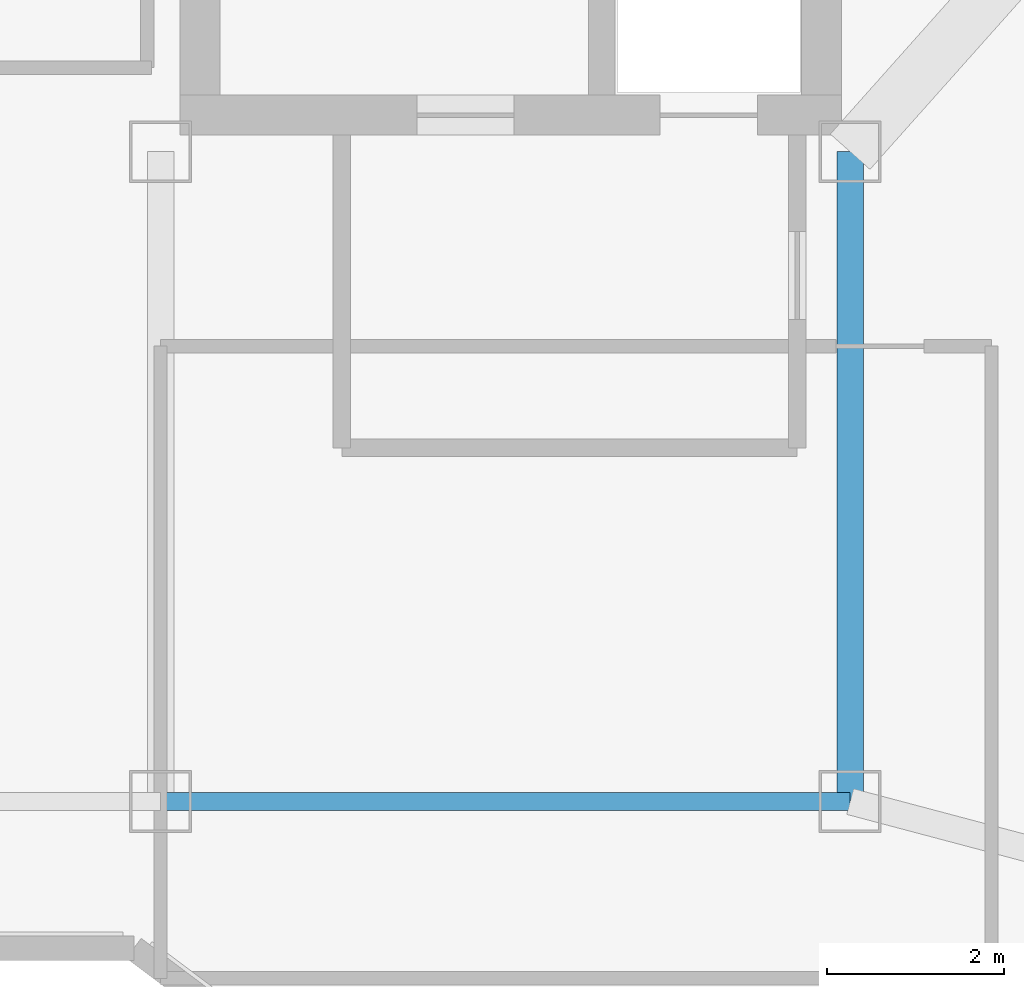
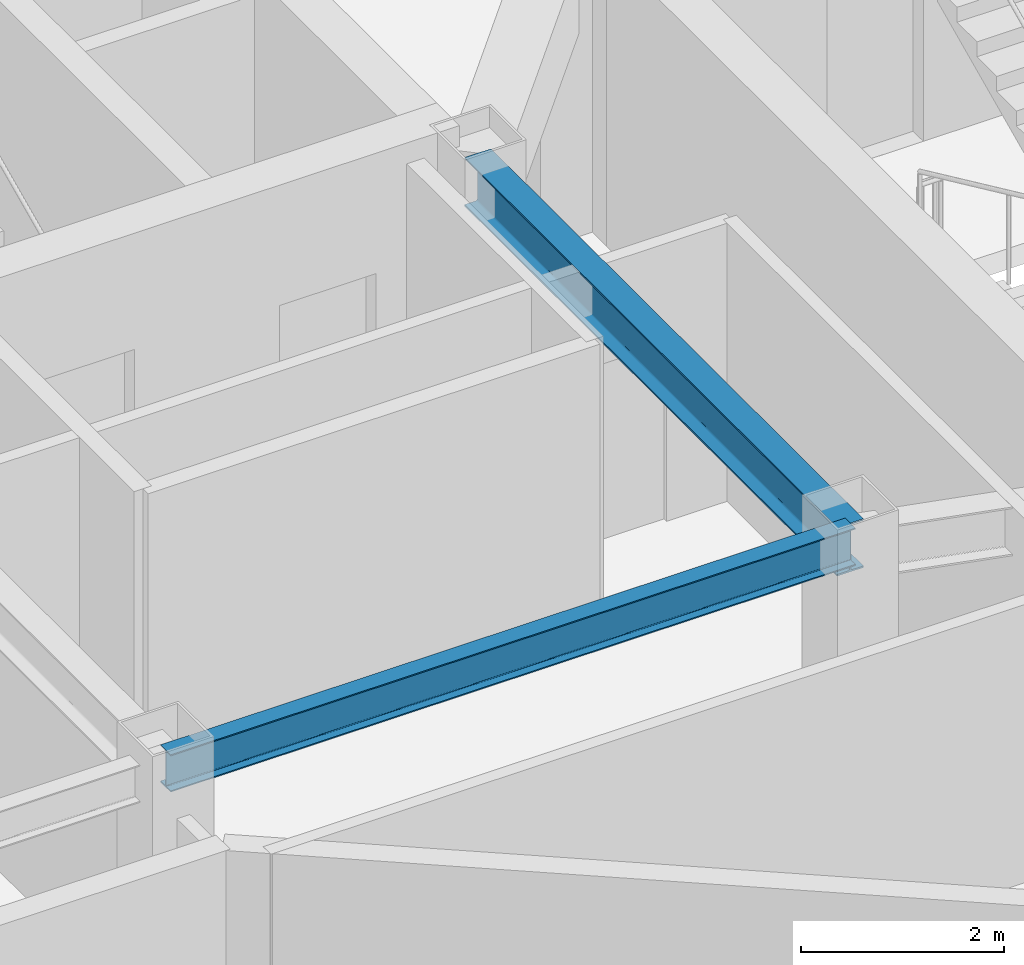
# One storey, part 5 of 25: 2 beams.
"""IFC4 building model written with IfcOpenShell, lengths in metres."""

import ifcopenshell
import ifcopenshell.guid

model = None  # the IFC model being written
_history = None  # IfcOwnerHistory: only IFC2X3 demands one
_inside = {}  # id of a spatial element -> (the spatial element, [elements in it])
_under = {}  # id of a project, library or spatial element -> (it, [spatial elements below it])
_declared = {}  # id of a project -> (the project, [libraries it declares])
_typed = {}  # id of a type object -> (the type object, [elements of that type])
_made_of = {}  # id of a material, layer set ... -> (it, [elements and type objects made of it])


def new_model(schema):
    """Start an empty IFC model of exactly this schema.

    Asked for "IFC4X3", IfcOpenShell would pick the latest addendum, in which some entities
    have other attributes; the version numbers below select the first issue.
    IFC2X3 requires an IfcOwnerHistory on every rooted entity: one is made here for all.
    """
    global model, _history
    if schema == "IFC4X3":
        model = ifcopenshell.file(schema_version=(4, 3, 0, 0))
    else:
        model = ifcopenshell.file(schema=schema)
    _inside.clear()
    _under.clear()
    _declared.clear()
    _typed.clear()
    _made_of.clear()
    _history = None
    if model.schema == "IFC2X3":
        org = make("IfcOrganization", Name="unknown")
        user = make(
            "IfcPersonAndOrganization",
            ThePerson=make("IfcPerson", FamilyName="unknown"),
            TheOrganization=org,
        )
        app = make(
            "IfcApplication",
            ApplicationDeveloper=org,
            Version="unknown",
            ApplicationFullName="unknown",
            ApplicationIdentifier="unknown",
        )
        _history = make(
            "IfcOwnerHistory",
            OwningUser=user,
            OwningApplication=app,
            ChangeAction="ADDED",
            CreationDate=0,
        )
    return model


def make(cls, **values):
    """One entity of the class cls with the attributes given. An attribute that is None is left unset."""
    return model.create_entity(
        cls, **{name: value for name, value in values.items() if value is not None}
    )


def rooted(cls, **values):
    """An entity with a GlobalId (a new one), such as an element, a storey or a relation."""
    return make(cls, GlobalId=ifcopenshell.guid.new(), OwnerHistory=_history, **values)


def si_unit(unit_type, name, prefix=None):
    """IfcSIUnit, for example si_unit("LENGTHUNIT", "METRE", prefix="MILLI")."""
    return make("IfcSIUnit", UnitType=unit_type, Prefix=prefix, Name=name)


def assignment(units):
    """IfcUnitAssignment: the units of a project."""
    return None if units is None else make("IfcUnitAssignment", Units=units)


def point(xyz):
    """IfcCartesianPoint."""
    return None if xyz is None else make("IfcCartesianPoint", Coordinates=xyz)


def direction(xyz):
    """IfcDirection."""
    return None if xyz is None else make("IfcDirection", DirectionRatios=xyz)


def frame(location, z_axis=None, x_axis=None):
    """IfcAxis2Placement3D, a coordinate frame: its origin and axes. An axis left out is left unset."""
    return make(
        "IfcAxis2Placement3D",
        Location=point(location),
        Axis=direction(z_axis),
        RefDirection=direction(x_axis),
    )


def frame_2d(location, x_axis=None):
    """IfcAxis2Placement2D, a coordinate frame in the plane: its origin and x axis."""
    return make(
        "IfcAxis2Placement2D", Location=point(location), RefDirection=direction(x_axis)
    )


def origin():
    """The frame at (0, 0, 0) with its axes left unset."""
    return frame((0.0, 0.0, 0.0))


def origin_2d():
    """The frame at (0, 0) in the plane with its x axis left unset."""
    return frame_2d((0.0, 0.0))


def place(relative_to, where):
    """IfcLocalPlacement: puts the frame where relative to a parent placement (None: the world)."""
    return make(
        "IfcLocalPlacement", PlacementRelTo=relative_to, RelativePlacement=where
    )


def context(
    kind, dimensions, precision=None, world=None, true_north=None, identifier=None
):
    """IfcGeometricRepresentationContext, for example the 3D "Model" context."""
    return make(
        "IfcGeometricRepresentationContext",
        ContextIdentifier=identifier,
        ContextType=kind,
        CoordinateSpaceDimension=dimensions,
        Precision=precision,
        WorldCoordinateSystem=world,
        TrueNorth=true_north,
    )


def subcontext(parent, identifier, kind, view, scale=None):
    """IfcGeometricRepresentationSubContext, for example "Body" below "Model"."""
    return make(
        "IfcGeometricRepresentationSubContext",
        ContextIdentifier=identifier,
        ContextType=kind,
        ParentContext=parent,
        TargetScale=scale,
        TargetView=view,
    )


def project(units=None, contexts=None):
    """IfcProject with its units and contexts."""
    return rooted(
        "IfcProject",
        Name="project",
        RepresentationContexts=contexts,
        UnitsInContext=assignment(units),
    )


def spatial(cls, under=None, at=None, **own):
    """A site, building, storey or space (cls), placed at a placement, below another one or the project."""
    s = rooted(cls, ObjectPlacement=at, **own)
    if under is not None:
        _under.setdefault(under.id(), (under, []))[1].append(s)
    return s


def profile(cls, at=None, kind="AREA", **sizes):
    """A parametric profile (cls). Its sizes go by their IFC names, for example OverallWidth=200.0."""
    return make(cls, ProfileType=kind, Position=at, **sizes)


def i_section(**sizes):
    """IfcIShapeProfileDef."""
    return profile("IfcIShapeProfileDef", **sizes)


def extrude(swept, where, along, depth):
    """IfcExtrudedAreaSolid: the profile swept, set in the frame where, extruded along a direction by depth."""
    return make(
        "IfcExtrudedAreaSolid",
        SweptArea=swept,
        Position=where,
        ExtrudedDirection=direction(along),
        Depth=depth,
    )


def shape(context_of_items, identifier, shape_type, items):
    """IfcShapeRepresentation: the items that make up one representation, for example the "Body"."""
    return make(
        "IfcShapeRepresentation",
        ContextOfItems=context_of_items,
        RepresentationIdentifier=identifier,
        RepresentationType=shape_type,
        Items=items,
    )


def material(Name=None, Category=None):
    """IfcMaterial."""
    return make("IfcMaterial", Name=Name, Category=Category)


def material_profile(
    of_material, cross_section, Name=None, Category=None, Priority=None
):
    """IfcMaterialProfile: a cross section and its material."""
    return make(
        "IfcMaterialProfile",
        Name=Name,
        Material=of_material,
        Profile=cross_section,
        Priority=Priority,
        Category=Category,
    )


def profile_set(profiles, Name=None, composite=None):
    """IfcMaterialProfileSet."""
    return make(
        "IfcMaterialProfileSet",
        Name=Name,
        MaterialProfiles=profiles,
        CompositeProfile=composite,
    )


def made_of(thing, what):
    """Note that an element or type object is made of a material, layer set ...; save() writes the relation."""
    if what is not None:
        _made_of.setdefault(what.id(), (what, []))[1].append(thing)
    return thing


def type_object(cls, material=None, **own):
    """A type object (cls), such as IfcWallType, which elements share."""
    return made_of(rooted(cls, **own), material)


def element(
    cls,
    number,
    at=None,
    inside=None,
    cuts=None,
    type_object=None,
    material=None,
    context=None,
    identifier="Body",
    shape_type=None,
    held_by="IfcProductDefinitionShape",
    body=None,
    shapes=None,
    **own,
):
    """One element of the class cls, such as IfcWall. Its Tag is "e" and its number.

    at: its placement. inside: the storey or other place that contains it. cuts: it is an
    opening in that element (IfcRelVoidsElement). A single representation is given by context,
    identifier, shape_type and body (its items); several are given by shapes. held_by: the class
    of the entity that holds the representations. save() writes the other relations.
    """
    e = rooted(cls, Tag="e%d" % number, ObjectPlacement=at, **own)
    if body is not None:
        shapes = [shape(context, identifier, shape_type, body)]
    if shapes is not None:
        e.Representation = make(held_by, Representations=shapes)
    if inside is not None:
        _inside.setdefault(inside.id(), (inside, []))[1].append(e)
    if cuts is not None:
        rooted(
            "IfcRelVoidsElement", RelatingBuildingElement=cuts, RelatedOpeningElement=e
        )
    if type_object is not None:
        _typed.setdefault(type_object.id(), (type_object, []))[1].append(e)
    return made_of(e, material)


def aggregate(whole, parts):
    """IfcRelAggregates: a whole, such as a stair, and the parts it consists of."""
    return rooted("IfcRelAggregates", RelatingObject=whole, RelatedObjects=parts)


def save(model, path):
    """Write the relations noted so far, then the file.

    IfcRelAggregates (storeys below a building ...), IfcRelContainedInSpatialStructure (elements
    in a storey), IfcRelDefinesByType, IfcRelAssociatesMaterial and IfcRelDeclares: one each for
    every whole, place, type object, material and project.
    """
    for whole, parts in _under.values():
        aggregate(whole, parts)
    for where, things in _inside.values():
        rooted(
            "IfcRelContainedInSpatialStructure",
            RelatedElements=things,
            RelatingStructure=where,
        )
    for kind, things in _typed.values():
        rooted("IfcRelDefinesByType", RelatedObjects=things, RelatingType=kind)
    for what, things in _made_of.values():
        rooted("IfcRelAssociatesMaterial", RelatedObjects=things, RelatingMaterial=what)
    for by, libraries in _declared.values():
        rooted("IfcRelDeclares", RelatingContext=by, RelatedDefinitions=libraries)
    model.write(path)


model = new_model("IFC4")

# Units and contexts
model_context = context("Model", 3, precision=1e-05, world=origin(), true_north=direction((0.0, 1.0)))
body_context = subcontext(model_context, "Body", "Model", "MODEL_VIEW")
ifc_project = project(units=[si_unit("LENGTHUNIT", "METRE"), si_unit("AREAUNIT", "SQUARE_METRE"), si_unit("VOLUMEUNIT", "CUBIC_METRE"), si_unit("PLANEANGLEUNIT", "RADIAN"), si_unit("MASSUNIT", "GRAM", prefix="KILO")], contexts=[model_context])

# Site, building, storey
site_placement = place(None, origin())
site = spatial("IfcSite", under=ifc_project, at=site_placement, CompositionType="ELEMENT")
building_placement = place(site_placement, origin())
building = spatial("IfcBuilding", under=site, at=building_placement, Name="Hatsunagi Terrace Concourse", CompositionType="ELEMENT")
storey_placement = place(building_placement, frame((0.0, 0.0, 216.75)))
storey = spatial("IfcBuildingStorey", under=building, at=storey_placement, Name="L57", CompositionType="ELEMENT", Elevation=216.75)

# Beams
ifc_material_1 = material(Name="Steel SN490B", Category="steel")
ifc_material_profile_1 = material_profile(ifc_material_1, i_section(OverallWidth=0.300048828125, OverallDepth=0.587890625, WebThickness=0.011962890625, FlangeThickness=0.02001953125, FilletRadius=0.01806640625, at=origin_2d()), Name="H-588x300x12x20")
ifc_profile_set_1 = profile_set([ifc_material_profile_1], Name="Steel SN490B")
beam_type_1 = type_object("IfcBeamType", Name="OfficeHighGirder_H_588x300", PredefinedType="BEAM", material=ifc_profile_set_1)
beam_1_placement = place(storey_placement, frame((33.35009765625, 25.199951171875, 3.055908203125), z_axis=(0.0, 1.0, 0.0), x_axis=(-1.0, 0.0, 0.0)))
element("IfcBeam", 1, at=beam_1_placement, inside=storey, type_object=beam_type_1, Name="Beam G-06 BM-L57-K2CA", PredefinedType="BEAM", context=body_context, shape_type="SweptSolid", body=[
    extrude(i_section(OverallWidth=0.300048828125, OverallDepth=0.587890625, WebThickness=0.011962890625, FlangeThickness=0.02001953125, FilletRadius=0.01806640625, at=origin_2d()), origin(), (0.0, 0.0, 1.0), 7.35009765625),
])
ifc_material_2 = material(Name="Steel SN490B", Category="steel")
ifc_material_profile_2 = material_profile(ifc_material_2, i_section(OverallWidth=0.199951171875, OverallDepth=0.449951171875, WebThickness=0.009033203125, FlangeThickness=0.013916015625, FilletRadius=0.01611328125, at=origin_2d()), Name="H-450x200x9x14")
ifc_profile_set_2 = profile_set([ifc_material_profile_2], Name="Steel SN490B")
beam_type_2 = type_object("IfcBeamType", Name="PerimeterSpandrel_H_450x200", PredefinedType="SPANDREL", material=ifc_profile_set_2)
beam_2_placement = place(storey_placement, frame((25.550048828125, 25.199951171875, 3.125), z_axis=(1.0, 0.0, 0.0), x_axis=(0.0, 1.0, 0.0)))
element("IfcBeam", 2, at=beam_2_placement, inside=storey, type_object=beam_type_2, Name="Beam SP-02 BM-L57-WS-25", PredefinedType="SPANDREL", context=body_context, shape_type="SweptSolid", body=[
    extrude(i_section(OverallWidth=0.199951171875, OverallDepth=0.449951171875, WebThickness=0.009033203125, FlangeThickness=0.013916015625, FilletRadius=0.01611328125, at=origin_2d()), origin(), (0.0, 0.0, 1.0), 7.800048828125),
])

save(model, "model.ifc")
